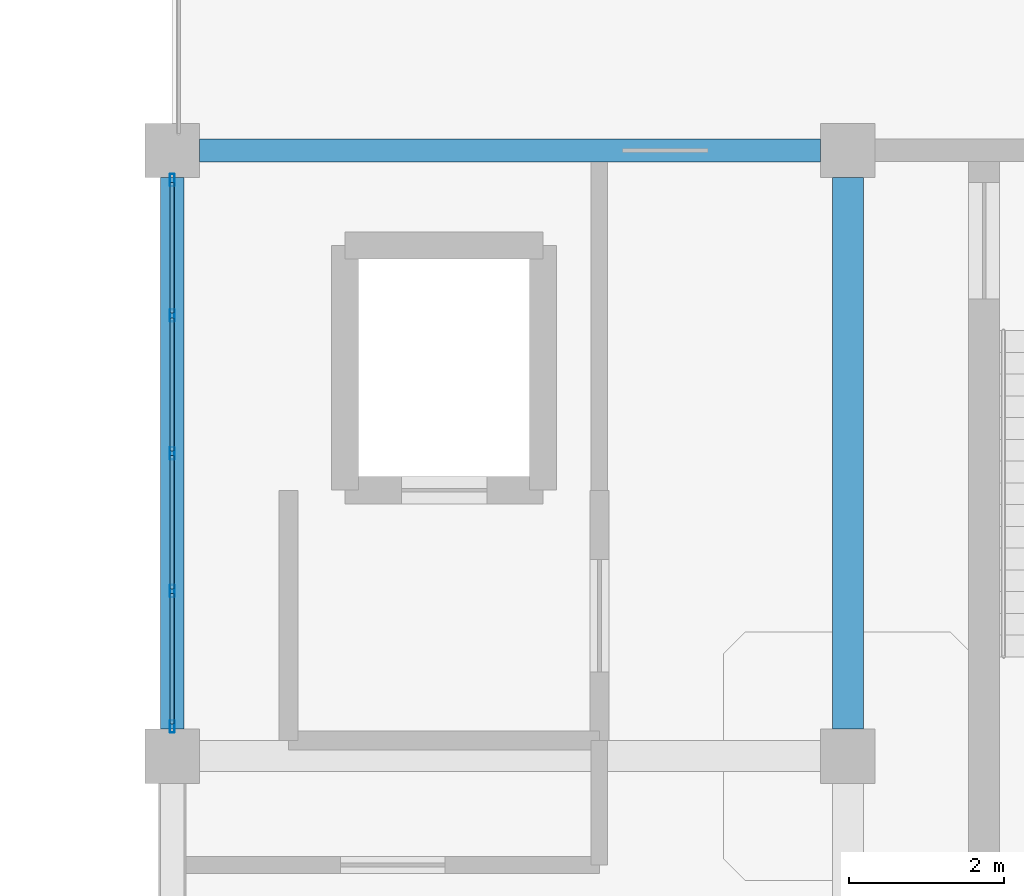
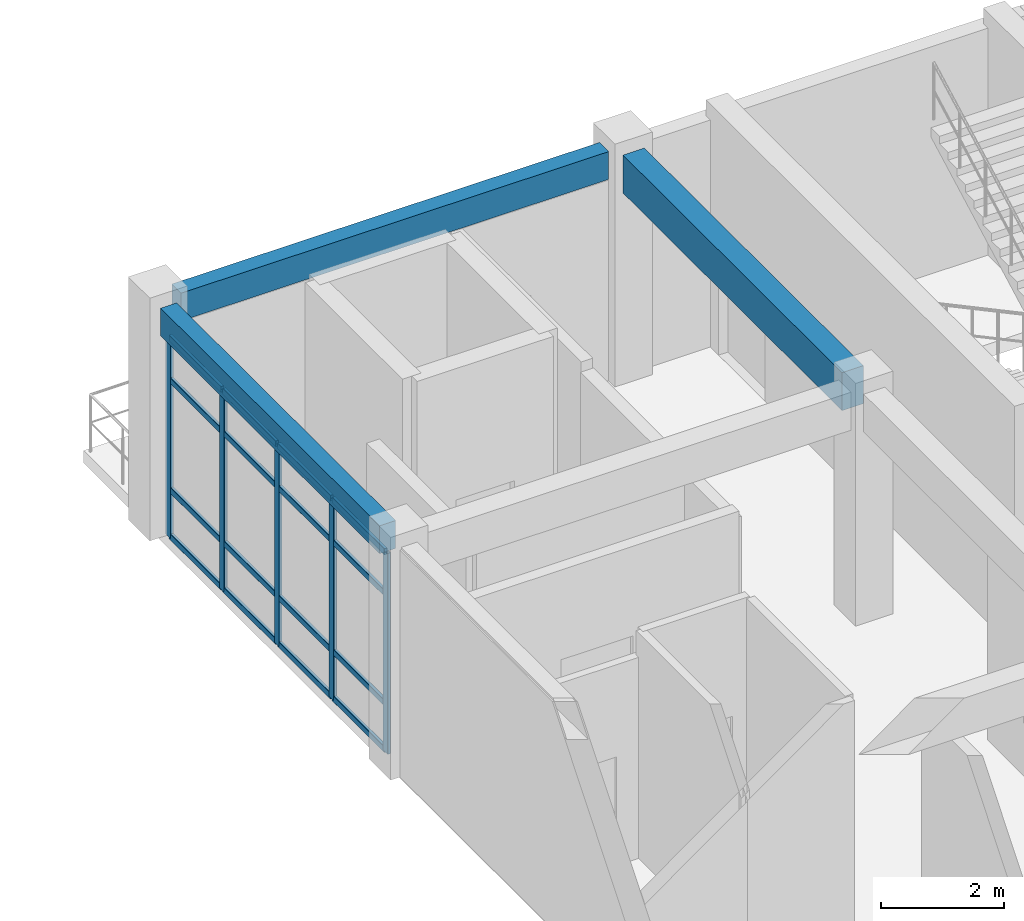
# One storey, part 45 of 76: 21 members, 3 beams, 1 element without a shape of its own.
"""IFC4 building model written with IfcOpenShell, lengths in metres."""

from ifc_helpers import new_model, si_unit, derived_unit, direction, frame, origin, origin_2d, place, context, subcontext, project, spatial, rectangle, hollow_rectangle, extrude, material, layer, layer_set, material_profile, profile_set, type_object, element, aggregate, save


model = new_model("IFC4")

# Units and contexts
model_context = context("Model", 3, precision=1e-05, world=origin(), true_north=direction((0.0, 1.0)))
body_context = subcontext(model_context, "Body", "Model", "MODEL_VIEW")
ifc_project = project(units=[si_unit("LENGTHUNIT", "METRE"), si_unit("AREAUNIT", "SQUARE_METRE"), si_unit("VOLUMEUNIT", "CUBIC_METRE"), si_unit("PLANEANGLEUNIT", "RADIAN"), si_unit("MASSUNIT", "GRAM", prefix="KILO"), derived_unit("THERMALTRANSMITTANCEUNIT", [(si_unit("MASSUNIT", "GRAM", prefix="KILO"), 1), (si_unit("TIMEUNIT", "SECOND"), -3), (si_unit("THERMODYNAMICTEMPERATUREUNIT", "KELVIN"), -1)])], contexts=[model_context])

# Site, building, storey
site_placement = place(None, origin())
site = spatial("IfcSite", under=ifc_project, at=site_placement, CompositionType="ELEMENT")
building_placement = place(site_placement, origin())
building = spatial("IfcBuilding", under=site, at=building_placement, Name="Qinzheling Arcade Emporium", CompositionType="ELEMENT")
storey_placement = place(building_placement, frame((0.0, 0.0, 26.699951171875)))
storey = spatial("IfcBuildingStorey", under=building, at=storey_placement, Name="L06", CompositionType="ELEMENT", Elevation=26.699951171875)

# Curtain wall, members
ifc_material_1 = material(Name="Anodised aluminium and solar-control double glazing", Category="aluminium")
ifc_layer = layer(ifc_material_1, 0.159912109375, Name="Anodised aluminium and solar-control double glazing", Category="aluminium")
ifc_layer_set = layer_set([ifc_layer], Name="Anodised aluminium and solar-control double glazing")
curtain_wall_type = type_object("IfcCurtainWallType", Name="Arcade Portal Glazed Curtain Wall", PredefinedType="NOTDEFINED", material=ifc_layer_set)
curtain_wall_placement = place(storey_placement, origin())
curtain_wall = element("IfcCurtainWall", 1, at=curtain_wall_placement, inside=storey, type_object=curtain_wall_type, Name="Curtain Wall CW-L06-383", PredefinedType="NOTDEFINED")
ifc_material_2 = material(Name="Anodised aluminium 6063-T6", Category="aluminium")
ifc_material_profile_1 = material_profile(ifc_material_2, hollow_rectangle(XDim=0.06005859375, YDim=0.159912109375, WallThickness=0.00390625, InnerFilletRadius=0.00390625, OuterFilletRadius=0.008056640625, at=origin_2d()), Name="RHS 160x60x4", Category="aluminium")
ifc_profile_set_1 = profile_set([ifc_material_profile_1], Name="Anodised aluminium 6063-T6")
member_type_1 = type_object("IfcMemberType", Name="Curtain Wall Mullion RHS160x60", PredefinedType="MULLION", material=ifc_profile_set_1)
member_1_placement = place(storey_placement, frame((104.39990234375, 99.382080078125, 0.0), z_axis=(0.0, 0.0, 1.0), x_axis=(-1.0, 0.0, 0.0)))
member_1 = element("IfcMember", 2, at=member_1_placement, type_object=member_type_1, Name="CW05 mullion 1", PredefinedType="MULLION", context=body_context, shape_type="SweptSolid", body=[
    extrude(hollow_rectangle(XDim=0.06005859375, YDim=0.159912109375, WallThickness=0.00390625, InnerFilletRadius=0.00390625, OuterFilletRadius=0.008056640625, at=origin_2d()), origin(), (0.0, 0.0, 1.0), 3.969970703125),
])
member_2_placement = place(storey_placement, frame((104.39990234375, 101.1259765625, 0.0), z_axis=(0.0, 0.0, 1.0), x_axis=(-1.0, 0.0, 0.0)))
member_2 = element("IfcMember", 3, at=member_2_placement, type_object=member_type_1, Name="CW05 mullion 2", PredefinedType="MULLION", context=body_context, shape_type="SweptSolid", body=[
    extrude(hollow_rectangle(XDim=0.06005859375, YDim=0.159912109375, WallThickness=0.00390625, InnerFilletRadius=0.00390625, OuterFilletRadius=0.008056640625, at=origin_2d()), origin(), (0.0, 0.0, 1.0), 3.969970703125),
])
member_3_placement = place(storey_placement, frame((104.39990234375, 102.89990234375, 0.0), z_axis=(0.0, 0.0, 1.0), x_axis=(-1.0, 0.0, 0.0)))
member_3 = element("IfcMember", 4, at=member_3_placement, type_object=member_type_1, Name="CW05 mullion 3", PredefinedType="MULLION", context=body_context, shape_type="SweptSolid", body=[
    extrude(hollow_rectangle(XDim=0.06005859375, YDim=0.159912109375, WallThickness=0.00390625, InnerFilletRadius=0.00390625, OuterFilletRadius=0.008056640625, at=origin_2d()), origin(), (0.0, 0.0, 1.0), 3.969970703125),
])
member_4_placement = place(storey_placement, frame((104.39990234375, 104.674072265625, 0.0), z_axis=(0.0, 0.0, 1.0), x_axis=(-1.0, 0.0, 0.0)))
member_4 = element("IfcMember", 5, at=member_4_placement, type_object=member_type_1, Name="CW05 mullion 4", PredefinedType="MULLION", context=body_context, shape_type="SweptSolid", body=[
    extrude(hollow_rectangle(XDim=0.06005859375, YDim=0.159912109375, WallThickness=0.00390625, InnerFilletRadius=0.00390625, OuterFilletRadius=0.008056640625, at=origin_2d()), origin(), (0.0, 0.0, 1.0), 3.969970703125),
])
member_5_placement = place(storey_placement, frame((104.39990234375, 106.41796875, 0.0), z_axis=(0.0, 0.0, 1.0), x_axis=(-1.0, 0.0, 0.0)))
member_5 = element("IfcMember", 6, at=member_5_placement, type_object=member_type_1, Name="CW05 mullion 5", PredefinedType="MULLION", context=body_context, shape_type="SweptSolid", body=[
    extrude(hollow_rectangle(XDim=0.06005859375, YDim=0.159912109375, WallThickness=0.00390625, InnerFilletRadius=0.00390625, OuterFilletRadius=0.008056640625, at=origin_2d()), origin(), (0.0, 0.0, 1.0), 3.969970703125),
])
ifc_material_profile_2 = material_profile(ifc_material_2, hollow_rectangle(XDim=0.06005859375, YDim=0.1201171875, WallThickness=0.00390625, InnerFilletRadius=0.00390625, OuterFilletRadius=0.008056640625, at=origin_2d()), Name="RHS 120x60x4", Category="aluminium")
ifc_profile_set_2 = profile_set([ifc_material_profile_2], Name="Anodised aluminium 6063-T6")
member_type_2 = type_object("IfcMemberType", Name="Curtain Wall Transom RHS120x60", PredefinedType="USERDEFINED", material=ifc_profile_set_2)
member_6_placement = place(storey_placement, frame((104.39990234375, 99.412109375, 0.030029296875), z_axis=(0.0, 1.0, 0.0), x_axis=(-1.0, 0.0, 0.0)))
member_6 = element("IfcMember", 7, at=member_6_placement, type_object=member_type_2, Name="CW05 transom 1.1", ObjectType="TRANSOM", PredefinedType="USERDEFINED", context=body_context, shape_type="SweptSolid", body=[
    extrude(hollow_rectangle(XDim=0.06005859375, YDim=0.1201171875, WallThickness=0.00390625, InnerFilletRadius=0.00390625, OuterFilletRadius=0.008056640625, at=origin_2d()), origin(), (0.0, 0.0, 1.0), 1.683837890625),
])
member_7_placement = place(storey_placement, frame((104.39990234375, 99.412109375, 0.949951171875), z_axis=(0.0, 1.0, 0.0), x_axis=(-1.0, 0.0, 0.0)))
member_7 = element("IfcMember", 8, at=member_7_placement, type_object=member_type_2, Name="CW05 transom 1.2", ObjectType="TRANSOM", PredefinedType="USERDEFINED", context=body_context, shape_type="SweptSolid", body=[
    extrude(hollow_rectangle(XDim=0.06005859375, YDim=0.1201171875, WallThickness=0.00390625, InnerFilletRadius=0.00390625, OuterFilletRadius=0.008056640625, at=origin_2d()), origin(), (0.0, 0.0, 1.0), 1.683837890625),
])
member_8_placement = place(storey_placement, frame((104.39990234375, 99.412109375, 3.1201171875), z_axis=(0.0, 1.0, 0.0), x_axis=(-1.0, 0.0, 0.0)))
member_8 = element("IfcMember", 9, at=member_8_placement, type_object=member_type_2, Name="CW05 transom 1.3", ObjectType="TRANSOM", PredefinedType="USERDEFINED", context=body_context, shape_type="SweptSolid", body=[
    extrude(hollow_rectangle(XDim=0.06005859375, YDim=0.1201171875, WallThickness=0.00390625, InnerFilletRadius=0.00390625, OuterFilletRadius=0.008056640625, at=origin_2d()), origin(), (0.0, 0.0, 1.0), 1.683837890625),
])
member_9_placement = place(storey_placement, frame((104.39990234375, 99.412109375, 3.93994140625), z_axis=(0.0, 1.0, 0.0), x_axis=(-1.0, 0.0, 0.0)))
member_9 = element("IfcMember", 10, at=member_9_placement, type_object=member_type_2, Name="CW05 transom 1.4", ObjectType="TRANSOM", PredefinedType="USERDEFINED", context=body_context, shape_type="SweptSolid", body=[
    extrude(hollow_rectangle(XDim=0.06005859375, YDim=0.1201171875, WallThickness=0.00390625, InnerFilletRadius=0.00390625, OuterFilletRadius=0.008056640625, at=origin_2d()), origin(), (0.0, 0.0, 1.0), 1.683837890625),
])
member_10_placement = place(storey_placement, frame((104.39990234375, 101.156005859375, 0.030029296875), z_axis=(0.0, 1.0, 0.0), x_axis=(-1.0, 0.0, 0.0)))
member_10 = element("IfcMember", 11, at=member_10_placement, type_object=member_type_2, Name="CW05 transom 2.1", ObjectType="TRANSOM", PredefinedType="USERDEFINED", context=body_context, shape_type="SweptSolid", body=[
    extrude(hollow_rectangle(XDim=0.06005859375, YDim=0.1201171875, WallThickness=0.00390625, InnerFilletRadius=0.00390625, OuterFilletRadius=0.008056640625, at=origin_2d()), origin(), (0.0, 0.0, 1.0), 1.714111328125),
])
member_11_placement = place(storey_placement, frame((104.39990234375, 101.156005859375, 0.949951171875), z_axis=(0.0, 1.0, 0.0), x_axis=(-1.0, 0.0, 0.0)))
member_11 = element("IfcMember", 12, at=member_11_placement, type_object=member_type_2, Name="CW05 transom 2.2", ObjectType="TRANSOM", PredefinedType="USERDEFINED", context=body_context, shape_type="SweptSolid", body=[
    extrude(hollow_rectangle(XDim=0.06005859375, YDim=0.1201171875, WallThickness=0.00390625, InnerFilletRadius=0.00390625, OuterFilletRadius=0.008056640625, at=origin_2d()), origin(), (0.0, 0.0, 1.0), 1.714111328125),
])
member_12_placement = place(storey_placement, frame((104.39990234375, 101.156005859375, 3.1201171875), z_axis=(0.0, 1.0, 0.0), x_axis=(-1.0, 0.0, 0.0)))
member_12 = element("IfcMember", 13, at=member_12_placement, type_object=member_type_2, Name="CW05 transom 2.3", ObjectType="TRANSOM", PredefinedType="USERDEFINED", context=body_context, shape_type="SweptSolid", body=[
    extrude(hollow_rectangle(XDim=0.06005859375, YDim=0.1201171875, WallThickness=0.00390625, InnerFilletRadius=0.00390625, OuterFilletRadius=0.008056640625, at=origin_2d()), origin(), (0.0, 0.0, 1.0), 1.714111328125),
])
member_13_placement = place(storey_placement, frame((104.39990234375, 101.156005859375, 3.93994140625), z_axis=(0.0, 1.0, 0.0), x_axis=(-1.0, 0.0, 0.0)))
member_13 = element("IfcMember", 14, at=member_13_placement, type_object=member_type_2, Name="CW05 transom 2.4", ObjectType="TRANSOM", PredefinedType="USERDEFINED", context=body_context, shape_type="SweptSolid", body=[
    extrude(hollow_rectangle(XDim=0.06005859375, YDim=0.1201171875, WallThickness=0.00390625, InnerFilletRadius=0.00390625, OuterFilletRadius=0.008056640625, at=origin_2d()), origin(), (0.0, 0.0, 1.0), 1.714111328125),
])
member_14_placement = place(storey_placement, frame((104.39990234375, 102.929931640625, 0.030029296875), z_axis=(0.0, 1.0, 0.0), x_axis=(-1.0, 0.0, 0.0)))
member_14 = element("IfcMember", 15, at=member_14_placement, type_object=member_type_2, Name="CW05 transom 3.1", ObjectType="TRANSOM", PredefinedType="USERDEFINED", context=body_context, shape_type="SweptSolid", body=[
    extrude(hollow_rectangle(XDim=0.06005859375, YDim=0.1201171875, WallThickness=0.00390625, InnerFilletRadius=0.00390625, OuterFilletRadius=0.008056640625, at=origin_2d()), origin(), (0.0, 0.0, 1.0), 1.714111328125),
])
member_15_placement = place(storey_placement, frame((104.39990234375, 102.929931640625, 0.949951171875), z_axis=(0.0, 1.0, 0.0), x_axis=(-1.0, 0.0, 0.0)))
member_15 = element("IfcMember", 16, at=member_15_placement, type_object=member_type_2, Name="CW05 transom 3.2", ObjectType="TRANSOM", PredefinedType="USERDEFINED", context=body_context, shape_type="SweptSolid", body=[
    extrude(hollow_rectangle(XDim=0.06005859375, YDim=0.1201171875, WallThickness=0.00390625, InnerFilletRadius=0.00390625, OuterFilletRadius=0.008056640625, at=origin_2d()), origin(), (0.0, 0.0, 1.0), 1.714111328125),
])
member_16_placement = place(storey_placement, frame((104.39990234375, 102.929931640625, 3.1201171875), z_axis=(0.0, 1.0, 0.0), x_axis=(-1.0, 0.0, 0.0)))
member_16 = element("IfcMember", 17, at=member_16_placement, type_object=member_type_2, Name="CW05 transom 3.3", ObjectType="TRANSOM", PredefinedType="USERDEFINED", context=body_context, shape_type="SweptSolid", body=[
    extrude(hollow_rectangle(XDim=0.06005859375, YDim=0.1201171875, WallThickness=0.00390625, InnerFilletRadius=0.00390625, OuterFilletRadius=0.008056640625, at=origin_2d()), origin(), (0.0, 0.0, 1.0), 1.714111328125),
])
member_17_placement = place(storey_placement, frame((104.39990234375, 102.929931640625, 3.93994140625), z_axis=(0.0, 1.0, 0.0), x_axis=(-1.0, 0.0, 0.0)))
member_17 = element("IfcMember", 18, at=member_17_placement, type_object=member_type_2, Name="CW05 transom 3.4", ObjectType="TRANSOM", PredefinedType="USERDEFINED", context=body_context, shape_type="SweptSolid", body=[
    extrude(hollow_rectangle(XDim=0.06005859375, YDim=0.1201171875, WallThickness=0.00390625, InnerFilletRadius=0.00390625, OuterFilletRadius=0.008056640625, at=origin_2d()), origin(), (0.0, 0.0, 1.0), 1.714111328125),
])
member_18_placement = place(storey_placement, frame((104.39990234375, 104.7041015625, 0.030029296875), z_axis=(0.0, 1.0, 0.0), x_axis=(-1.0, 0.0, 0.0)))
member_18 = element("IfcMember", 19, at=member_18_placement, type_object=member_type_2, Name="CW05 transom 4.1", ObjectType="TRANSOM", PredefinedType="USERDEFINED", context=body_context, shape_type="SweptSolid", body=[
    extrude(hollow_rectangle(XDim=0.06005859375, YDim=0.1201171875, WallThickness=0.00390625, InnerFilletRadius=0.00390625, OuterFilletRadius=0.008056640625, at=origin_2d()), origin(), (0.0, 0.0, 1.0), 1.683837890625),
])
member_19_placement = place(storey_placement, frame((104.39990234375, 104.7041015625, 0.949951171875), z_axis=(0.0, 1.0, 0.0), x_axis=(-1.0, 0.0, 0.0)))
member_19 = element("IfcMember", 20, at=member_19_placement, type_object=member_type_2, Name="CW05 transom 4.2", ObjectType="TRANSOM", PredefinedType="USERDEFINED", context=body_context, shape_type="SweptSolid", body=[
    extrude(hollow_rectangle(XDim=0.06005859375, YDim=0.1201171875, WallThickness=0.00390625, InnerFilletRadius=0.00390625, OuterFilletRadius=0.008056640625, at=origin_2d()), origin(), (0.0, 0.0, 1.0), 1.683837890625),
])
member_20_placement = place(storey_placement, frame((104.39990234375, 104.7041015625, 3.1201171875), z_axis=(0.0, 1.0, 0.0), x_axis=(-1.0, 0.0, 0.0)))
member_20 = element("IfcMember", 21, at=member_20_placement, type_object=member_type_2, Name="CW05 transom 4.3", ObjectType="TRANSOM", PredefinedType="USERDEFINED", context=body_context, shape_type="SweptSolid", body=[
    extrude(hollow_rectangle(XDim=0.06005859375, YDim=0.1201171875, WallThickness=0.00390625, InnerFilletRadius=0.00390625, OuterFilletRadius=0.008056640625, at=origin_2d()), origin(), (0.0, 0.0, 1.0), 1.683837890625),
])
member_21_placement = place(storey_placement, frame((104.39990234375, 104.7041015625, 3.93994140625), z_axis=(0.0, 1.0, 0.0), x_axis=(-1.0, 0.0, 0.0)))
member_21 = element("IfcMember", 22, at=member_21_placement, type_object=member_type_2, Name="CW05 transom 4.4", ObjectType="TRANSOM", PredefinedType="USERDEFINED", context=body_context, shape_type="SweptSolid", body=[
    extrude(hollow_rectangle(XDim=0.06005859375, YDim=0.1201171875, WallThickness=0.00390625, InnerFilletRadius=0.00390625, OuterFilletRadius=0.008056640625, at=origin_2d()), origin(), (0.0, 0.0, 1.0), 1.683837890625),
])
aggregate(curtain_wall, [member_1, member_2, member_3, member_4, member_5, member_6, member_7, member_8, member_9, member_10, member_11, member_12, member_13, member_14, member_15, member_16, member_17, member_18, member_19, member_20, member_21])

# Beams
ifc_material_3 = material(Name="Concrete C40", Category="concrete")
ifc_material_profile_3 = material_profile(ifc_material_3, rectangle(XDim=0.39990234375, YDim=0.75, at=origin_2d()), Name="RC 400x750", Category="concrete")
ifc_profile_set_3 = profile_set([ifc_material_profile_3], Name="Concrete C40")
beam_type_1 = type_object("IfcBeamType", Name="RC Interior Tie Beam 400x750 C40", PredefinedType="BEAM", material=ifc_profile_set_3)
beam_1_placement = place(storey_placement, frame((113.10009765625, 99.35009765625, 4.16015625), z_axis=(0.0, 1.0, 0.0), x_axis=(-1.0, 0.0, 0.0)))
element("IfcBeam", 23, at=beam_1_placement, inside=storey, type_object=beam_type_1, Name="Beam BM-L06-Y-14-M", PredefinedType="BEAM", context=body_context, shape_type="SweptSolid", body=[
    extrude(rectangle(XDim=0.39990234375, YDim=0.75, at=origin_2d()), origin(), (0.0, 0.0, 1.0), 7.099853515625),
])
ifc_material_profile_4 = material_profile(ifc_material_3, rectangle(XDim=0.300048828125, YDim=0.550048828125, at=origin_2d()), Name="RC 300x550", Category="concrete")
ifc_profile_set_4 = profile_set([ifc_material_profile_4], Name="Concrete C40")
beam_type_2 = type_object("IfcBeamType", Name="RC Terrace Spandrel Beam 300x550 C40", PredefinedType="SPANDREL", material=ifc_profile_set_4)
beam_2_placement = place(storey_placement, frame((104.75, 106.800048828125, 4.260009765625), z_axis=(1.0, 0.0, 0.0), x_axis=(0.0, 1.0, 0.0)))
element("IfcBeam", 24, at=beam_2_placement, inside=storey, type_object=beam_type_2, Name="Beam BM-L06-X-N-13", PredefinedType="SPANDREL", context=body_context, shape_type="SweptSolid", body=[
    extrude(rectangle(XDim=0.300048828125, YDim=0.550048828125, at=origin_2d()), origin(), (0.0, 0.0, 1.0), 8.0),
])
beam_3_placement = place(storey_placement, frame((104.39990234375, 99.35009765625, 4.260009765625), z_axis=(0.0, 1.0, 0.0), x_axis=(-1.0, 0.0, 0.0)))
element("IfcBeam", 25, at=beam_3_placement, inside=storey, type_object=beam_type_2, Name="Beam BM-L06-Y-13-M", PredefinedType="SPANDREL", context=body_context, shape_type="SweptSolid", body=[
    extrude(rectangle(XDim=0.300048828125, YDim=0.550048828125, at=origin_2d()), origin(), (0.0, 0.0, 1.0), 7.099853515625),
])

save(model, "model.ifc")
